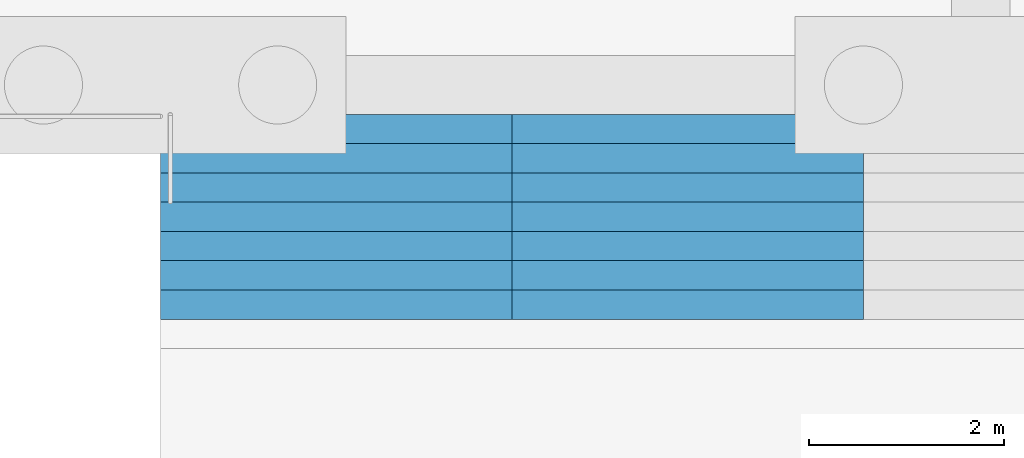
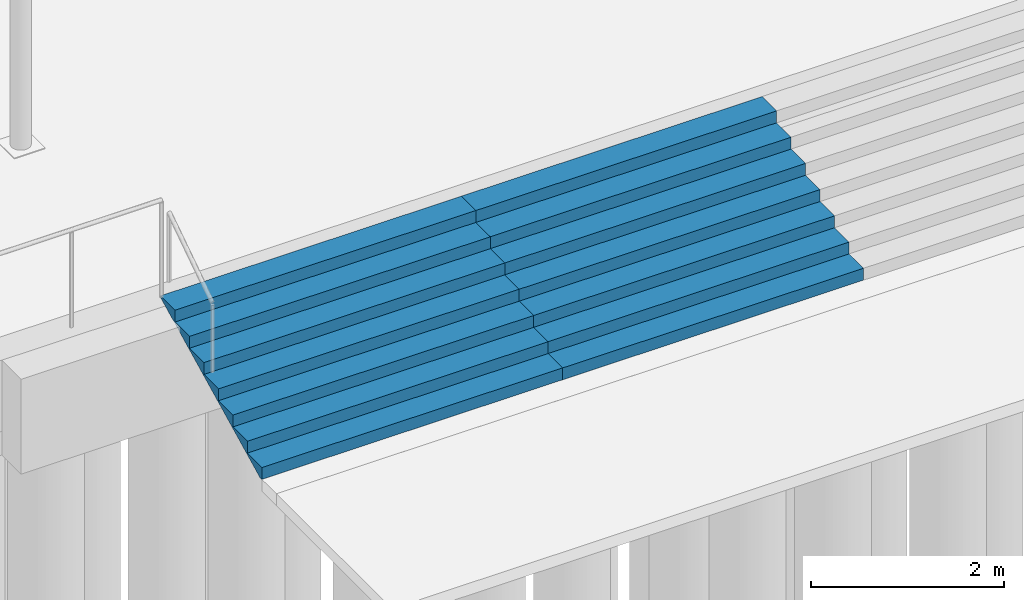
# One storey, part 75 of 129: 2 stair flights, 1 element without a shape of its own.
"""IFC4 building model written with IfcOpenShell, lengths in metres."""

from ifc_helpers import new_model, si_unit, direction, frame, origin, place, context, subcontext, project, spatial, faceted_brep, material, type_object, element, aggregate, save


model = new_model("IFC4")

# Units and contexts
model_context = context("Model", 3, precision=1e-05, world=origin(), true_north=direction((0.0, 1.0)))
body_context = subcontext(model_context, "Body", "Model", "MODEL_VIEW")
ifc_project = project(units=[si_unit("LENGTHUNIT", "METRE"), si_unit("AREAUNIT", "SQUARE_METRE"), si_unit("VOLUMEUNIT", "CUBIC_METRE"), si_unit("PLANEANGLEUNIT", "RADIAN"), si_unit("MASSUNIT", "GRAM", prefix="KILO")], contexts=[model_context])

# Site, building, storey
site_placement = place(None, origin())
site = spatial("IfcSite", under=ifc_project, at=site_placement, CompositionType="ELEMENT")
building_placement = place(site_placement, origin())
building = spatial("IfcBuilding", under=site, at=building_placement, Name="Kiln Court Media Centre", CompositionType="ELEMENT")
storey_placement = place(building_placement, origin())
storey = spatial("IfcBuildingStorey", under=building, at=storey_placement, Name="L00", CompositionType="ELEMENT", Elevation=0.0)

# Stair, stair flights
ifc_material_1 = material(Name="Concrete C30/37", Category="concrete")
stair_type = type_object("IfcStairType", Name="Concrete C30/37 forecourt steps", PredefinedType="STRAIGHT_RUN_STAIR", material=ifc_material_1)
stair_placement = place(storey_placement, origin())
stair = element("IfcStair", 1, at=stair_placement, inside=storey, type_object=stair_type, Name="Concrete C30/37 forecourt steps", PredefinedType="STRAIGHT_RUN_STAIR")
ifc_material_2 = material(Name="Concrete C30/37", Category="concrete")
stair_flight_type = type_object("IfcStairFlightType", Name="Concrete C30/37 forecourt steps flight", PredefinedType="STRAIGHT", material=ifc_material_2)
stair_flight_1_placement = place(storey_placement, frame((69.0, 16.199951171875, -1.199951171875), z_axis=(0.0, 0.0, 1.0), x_axis=(0.0, 1.0, 0.0)))
stair_flight_1 = element("IfcStairFlight", 2, at=stair_flight_1_placement, type_object=stair_flight_type, Name="ST-E1 flight 1", NumberOfRisers=8, NumberOfTreads=7, PredefinedType="STRAIGHT", RiserHeight=0.15, TreadLength=0.3, context=body_context, shape_type="Brep", body=[
    faceted_brep([(0.044677734375, -1.800048828125, 0.0), (2.10009765625, -1.800048828125, 1.027587890625), (2.10009765625, -1.800048828125, 1.050048828125), (1.800048828125, -1.800048828125, 1.050048828125), (1.800048828125, -1.800048828125, 0.89990234375), (1.5, -1.800048828125, 0.89990234375), (1.5, -1.800048828125, 0.75), (1.199951171875, -1.800048828125, 0.75), (1.199951171875, -1.800048828125, 0.60009765625), (0.89990234375, -1.800048828125, 0.60009765625), (0.89990234375, -1.800048828125, 0.449951171875), (0.60009765625, -1.800048828125, 0.449951171875), (0.60009765625, -1.800048828125, 0.300048828125), (0.300048828125, -1.800048828125, 0.300048828125), (0.300048828125, -1.800048828125, 0.14990234375), (0.0, -1.800048828125, 0.14990234375), (0.0, -1.800048828125, 0.0), (0.0, 1.800048828125, 0.0), (0.0, 1.800048828125, 0.14990234375), (0.300048828125, 1.800048828125, 0.14990234375), (0.300048828125, 1.800048828125, 0.300048828125), (0.60009765625, 1.800048828125, 0.300048828125), (0.60009765625, 1.800048828125, 0.449951171875), (0.89990234375, 1.800048828125, 0.449951171875), (0.89990234375, 1.800048828125, 0.60009765625), (1.199951171875, 1.800048828125, 0.60009765625), (1.199951171875, 1.800048828125, 0.75), (1.5, 1.800048828125, 0.75), (1.5, 1.800048828125, 0.89990234375), (1.800048828125, 1.800048828125, 0.89990234375), (1.800048828125, 1.800048828125, 1.050048828125), (2.10009765625, 1.800048828125, 1.050048828125), (2.10009765625, 1.800048828125, 1.027587890625), (0.044677734375, 1.800048828125, 0.0), (2.10009765625, 0.10009765625, 1.027587890625), (0.044677734375, 0.10009765625, 0.0), (2.10009765625, 0.080078125, 1.027587890625), (0.044677734375, 0.080078125, 0.0), (2.10009765625, 0.06005859375, 1.027587890625), (0.044677734375, 0.06005859375, 0.0), (2.10009765625, 0.0400390625, 1.027587890625), (0.044677734375, 0.0400390625, 0.0), (2.10009765625, 0.02001953125, 1.027587890625), (0.044677734375, 0.02001953125, 0.0), (2.10009765625, 0.0, 1.027587890625), (0.044677734375, 0.0, 0.0), (2.10009765625, -0.02001953125, 1.027587890625), (0.044677734375, -0.02001953125, 0.0), (2.10009765625, -0.0400390625, 1.027587890625), (0.044677734375, -0.0400390625, 0.0), (2.10009765625, -0.06005859375, 1.027587890625), (0.044677734375, -0.06005859375, 0.0), (2.10009765625, -0.080078125, 1.027587890625), (0.044677734375, -0.080078125, 0.0), (2.10009765625, -0.10009765625, 1.027587890625), (0.044677734375, -0.10009765625, 0.0), (2.10009765625, 0.10009765625, 1.050048828125), (2.10009765625, 0.080078125, 1.050048828125), (2.10009765625, 0.06005859375, 1.050048828125), (2.10009765625, 0.0400390625, 1.050048828125), (2.10009765625, 0.02001953125, 1.050048828125), (2.10009765625, 0.0, 1.050048828125), (2.10009765625, -0.02001953125, 1.050048828125), (2.10009765625, -0.0400390625, 1.050048828125), (2.10009765625, -0.06005859375, 1.050048828125), (2.10009765625, -0.080078125, 1.050048828125), (2.10009765625, -0.10009765625, 1.050048828125), (1.800048828125, 0.10009765625, 1.050048828125), (1.800048828125, 0.080078125, 1.050048828125), (1.800048828125, 0.06005859375, 1.050048828125), (1.800048828125, 0.0400390625, 1.050048828125), (1.800048828125, 0.02001953125, 1.050048828125), (1.800048828125, 0.0, 1.050048828125), (1.800048828125, -0.02001953125, 1.050048828125), (1.800048828125, -0.0400390625, 1.050048828125), (1.800048828125, -0.06005859375, 1.050048828125), (1.800048828125, -0.080078125, 1.050048828125), (1.800048828125, -0.10009765625, 1.050048828125), (1.800048828125, 0.10009765625, 0.89990234375), (1.800048828125, 0.080078125, 0.89990234375), (1.800048828125, 0.06005859375, 0.89990234375), (1.800048828125, 0.0400390625, 0.89990234375), (1.800048828125, 0.02001953125, 0.89990234375), (1.800048828125, 0.0, 0.89990234375), (1.800048828125, -0.02001953125, 0.89990234375), (1.800048828125, -0.0400390625, 0.89990234375), (1.800048828125, -0.06005859375, 0.89990234375), (1.800048828125, -0.080078125, 0.89990234375), (1.800048828125, -0.10009765625, 0.89990234375), (1.5, 0.10009765625, 0.89990234375), (1.5, 0.080078125, 0.89990234375), (1.5, 0.06005859375, 0.89990234375), (1.5, 0.0400390625, 0.89990234375), (1.5, 0.02001953125, 0.89990234375), (1.5, 0.0, 0.89990234375), (1.5, -0.02001953125, 0.89990234375), (1.5, -0.0400390625, 0.89990234375), (1.5, -0.06005859375, 0.89990234375), (1.5, -0.080078125, 0.89990234375), (1.5, -0.10009765625, 0.89990234375), (1.5, 0.10009765625, 0.75), (1.5, 0.080078125, 0.75), (1.5, 0.06005859375, 0.75), (1.5, 0.0400390625, 0.75), (1.5, 0.02001953125, 0.75), (1.5, 0.0, 0.75), (1.5, -0.02001953125, 0.75), (1.5, -0.0400390625, 0.75), (1.5, -0.06005859375, 0.75), (1.5, -0.080078125, 0.75), (1.5, -0.10009765625, 0.75), (1.199951171875, 0.10009765625, 0.75), (1.199951171875, 0.080078125, 0.75), (1.199951171875, 0.06005859375, 0.75), (1.199951171875, 0.0400390625, 0.75), (1.199951171875, 0.02001953125, 0.75), (1.199951171875, 0.0, 0.75), (1.199951171875, -0.02001953125, 0.75), (1.199951171875, -0.0400390625, 0.75), (1.199951171875, -0.06005859375, 0.75), (1.199951171875, -0.080078125, 0.75), (1.199951171875, -0.10009765625, 0.75), (1.199951171875, 0.10009765625, 0.60009765625), (1.199951171875, 0.080078125, 0.60009765625), (1.199951171875, 0.06005859375, 0.60009765625), (1.199951171875, 0.0400390625, 0.60009765625), (1.199951171875, 0.02001953125, 0.60009765625), (1.199951171875, 0.0, 0.60009765625), (1.199951171875, -0.02001953125, 0.60009765625), (1.199951171875, -0.0400390625, 0.60009765625), (1.199951171875, -0.06005859375, 0.60009765625), (1.199951171875, -0.080078125, 0.60009765625), (1.199951171875, -0.10009765625, 0.60009765625), (0.89990234375, 0.10009765625, 0.60009765625), (0.89990234375, 0.080078125, 0.60009765625), (0.89990234375, 0.06005859375, 0.60009765625), (0.89990234375, 0.0400390625, 0.60009765625), (0.89990234375, 0.02001953125, 0.60009765625), (0.89990234375, 0.0, 0.60009765625), (0.89990234375, -0.02001953125, 0.60009765625), (0.89990234375, -0.0400390625, 0.60009765625), (0.89990234375, -0.06005859375, 0.60009765625), (0.89990234375, -0.080078125, 0.60009765625), (0.89990234375, -0.10009765625, 0.60009765625), (0.89990234375, 0.10009765625, 0.449951171875), (0.89990234375, 0.080078125, 0.449951171875), (0.89990234375, 0.06005859375, 0.449951171875), (0.89990234375, 0.0400390625, 0.449951171875), (0.89990234375, 0.02001953125, 0.449951171875), (0.89990234375, 0.0, 0.449951171875), (0.89990234375, -0.02001953125, 0.449951171875), (0.89990234375, -0.0400390625, 0.449951171875), (0.89990234375, -0.06005859375, 0.449951171875), (0.89990234375, -0.080078125, 0.449951171875), (0.89990234375, -0.10009765625, 0.449951171875), (0.60009765625, 0.10009765625, 0.449951171875), (0.60009765625, 0.080078125, 0.449951171875), (0.60009765625, 0.06005859375, 0.449951171875), (0.60009765625, 0.0400390625, 0.449951171875), (0.60009765625, 0.02001953125, 0.449951171875), (0.60009765625, 0.0, 0.449951171875), (0.60009765625, -0.02001953125, 0.449951171875), (0.60009765625, -0.0400390625, 0.449951171875), (0.60009765625, -0.06005859375, 0.449951171875), (0.60009765625, -0.080078125, 0.449951171875), (0.60009765625, -0.10009765625, 0.449951171875), (0.60009765625, 0.10009765625, 0.300048828125), (0.60009765625, 0.080078125, 0.300048828125), (0.60009765625, 0.06005859375, 0.300048828125), (0.60009765625, 0.0400390625, 0.300048828125), (0.60009765625, 0.02001953125, 0.300048828125), (0.60009765625, 0.0, 0.300048828125), (0.60009765625, -0.02001953125, 0.300048828125), (0.60009765625, -0.0400390625, 0.300048828125), (0.60009765625, -0.06005859375, 0.300048828125), (0.60009765625, -0.080078125, 0.300048828125), (0.60009765625, -0.10009765625, 0.300048828125), (0.300048828125, 0.10009765625, 0.300048828125), (0.300048828125, 0.080078125, 0.300048828125), (0.300048828125, 0.06005859375, 0.300048828125), (0.300048828125, 0.0400390625, 0.300048828125), (0.300048828125, 0.02001953125, 0.300048828125), (0.300048828125, 0.0, 0.300048828125), (0.300048828125, -0.02001953125, 0.300048828125), (0.300048828125, -0.0400390625, 0.300048828125), (0.300048828125, -0.06005859375, 0.300048828125), (0.300048828125, -0.080078125, 0.300048828125), (0.300048828125, -0.10009765625, 0.300048828125), (0.300048828125, 0.10009765625, 0.14990234375), (0.300048828125, 0.080078125, 0.14990234375), (0.300048828125, 0.06005859375, 0.14990234375), (0.300048828125, 0.0400390625, 0.14990234375), (0.300048828125, 0.02001953125, 0.14990234375), (0.300048828125, 0.0, 0.14990234375), (0.300048828125, -0.02001953125, 0.14990234375), (0.300048828125, -0.0400390625, 0.14990234375), (0.300048828125, -0.06005859375, 0.14990234375), (0.300048828125, -0.080078125, 0.14990234375), (0.300048828125, -0.10009765625, 0.14990234375), (0.0, 0.10009765625, 0.14990234375), (0.0, 0.080078125, 0.14990234375), (0.0, 0.06005859375, 0.14990234375), (0.0, 0.0400390625, 0.14990234375), (0.0, 0.02001953125, 0.14990234375), (0.0, 0.0, 0.14990234375), (0.0, -0.02001953125, 0.14990234375), (0.0, -0.0400390625, 0.14990234375), (0.0, -0.06005859375, 0.14990234375), (0.0, -0.080078125, 0.14990234375), (0.0, -0.10009765625, 0.14990234375), (0.0, 0.10009765625, 0.0), (0.0, 0.080078125, 0.0), (0.0, 0.06005859375, 0.0), (0.0, 0.0400390625, 0.0), (0.0, 0.02001953125, 0.0), (0.0, 0.0, 0.0), (0.0, -0.02001953125, 0.0), (0.0, -0.0400390625, 0.0), (0.0, -0.06005859375, 0.0), (0.0, -0.080078125, 0.0), (0.0, -0.10009765625, 0.0)], [[[0, 1, 2, 3, 4, 5, 6, 7, 8, 9, 10, 11, 12, 13, 14, 15, 16]], [[17, 18, 19, 20, 21, 22, 23, 24, 25, 26, 27, 28, 29, 30, 31, 32, 33]], [[33, 32, 34, 35]], [[35, 34, 36, 37]], [[37, 36, 38, 39]], [[39, 38, 40, 41]], [[41, 40, 42, 43]], [[43, 42, 44, 45]], [[45, 44, 46, 47]], [[47, 46, 48, 49]], [[49, 48, 50, 51]], [[51, 50, 52, 53]], [[53, 52, 54, 55]], [[55, 54, 1, 0]], [[32, 31, 56, 34]], [[34, 56, 57, 36]], [[36, 57, 58, 38]], [[38, 58, 59, 40]], [[40, 59, 60, 42]], [[42, 60, 61, 44]], [[44, 61, 62, 46]], [[46, 62, 63, 48]], [[48, 63, 64, 50]], [[50, 64, 65, 52]], [[52, 65, 66, 54]], [[54, 66, 2, 1]], [[31, 30, 67, 56]], [[56, 67, 68, 57]], [[57, 68, 69, 58]], [[58, 69, 70, 59]], [[59, 70, 71, 60]], [[60, 71, 72, 61]], [[61, 72, 73, 62]], [[62, 73, 74, 63]], [[63, 74, 75, 64]], [[64, 75, 76, 65]], [[65, 76, 77, 66]], [[66, 77, 3, 2]], [[30, 29, 78, 67]], [[67, 78, 79, 68]], [[68, 79, 80, 69]], [[69, 80, 81, 70]], [[70, 81, 82, 71]], [[71, 82, 83, 72]], [[72, 83, 84, 73]], [[73, 84, 85, 74]], [[74, 85, 86, 75]], [[75, 86, 87, 76]], [[76, 87, 88, 77]], [[77, 88, 4, 3]], [[29, 28, 89, 78]], [[78, 89, 90, 79]], [[79, 90, 91, 80]], [[80, 91, 92, 81]], [[81, 92, 93, 82]], [[82, 93, 94, 83]], [[83, 94, 95, 84]], [[84, 95, 96, 85]], [[85, 96, 97, 86]], [[86, 97, 98, 87]], [[87, 98, 99, 88]], [[88, 99, 5, 4]], [[28, 27, 100, 89]], [[89, 100, 101, 90]], [[90, 101, 102, 91]], [[91, 102, 103, 92]], [[92, 103, 104, 93]], [[93, 104, 105, 94]], [[94, 105, 106, 95]], [[95, 106, 107, 96]], [[96, 107, 108, 97]], [[97, 108, 109, 98]], [[98, 109, 110, 99]], [[99, 110, 6, 5]], [[27, 26, 111, 100]], [[100, 111, 112, 101]], [[101, 112, 113, 102]], [[102, 113, 114, 103]], [[103, 114, 115, 104]], [[104, 115, 116, 105]], [[105, 116, 117, 106]], [[106, 117, 118, 107]], [[107, 118, 119, 108]], [[108, 119, 120, 109]], [[109, 120, 121, 110]], [[110, 121, 7, 6]], [[26, 25, 122, 111]], [[111, 122, 123, 112]], [[112, 123, 124, 113]], [[113, 124, 125, 114]], [[114, 125, 126, 115]], [[115, 126, 127, 116]], [[116, 127, 128, 117]], [[117, 128, 129, 118]], [[118, 129, 130, 119]], [[119, 130, 131, 120]], [[120, 131, 132, 121]], [[121, 132, 8, 7]], [[25, 24, 133, 122]], [[122, 133, 134, 123]], [[123, 134, 135, 124]], [[124, 135, 136, 125]], [[125, 136, 137, 126]], [[126, 137, 138, 127]], [[127, 138, 139, 128]], [[128, 139, 140, 129]], [[129, 140, 141, 130]], [[130, 141, 142, 131]], [[131, 142, 143, 132]], [[132, 143, 9, 8]], [[24, 23, 144, 133]], [[133, 144, 145, 134]], [[134, 145, 146, 135]], [[135, 146, 147, 136]], [[136, 147, 148, 137]], [[137, 148, 149, 138]], [[138, 149, 150, 139]], [[139, 150, 151, 140]], [[140, 151, 152, 141]], [[141, 152, 153, 142]], [[142, 153, 154, 143]], [[143, 154, 10, 9]], [[23, 22, 155, 144]], [[144, 155, 156, 145]], [[145, 156, 157, 146]], [[146, 157, 158, 147]], [[147, 158, 159, 148]], [[148, 159, 160, 149]], [[149, 160, 161, 150]], [[150, 161, 162, 151]], [[151, 162, 163, 152]], [[152, 163, 164, 153]], [[153, 164, 165, 154]], [[154, 165, 11, 10]], [[22, 21, 166, 155]], [[155, 166, 167, 156]], [[156, 167, 168, 157]], [[157, 168, 169, 158]], [[158, 169, 170, 159]], [[159, 170, 171, 160]], [[160, 171, 172, 161]], [[161, 172, 173, 162]], [[162, 173, 174, 163]], [[163, 174, 175, 164]], [[164, 175, 176, 165]], [[165, 176, 12, 11]], [[21, 20, 177, 166]], [[166, 177, 178, 167]], [[167, 178, 179, 168]], [[168, 179, 180, 169]], [[169, 180, 181, 170]], [[170, 181, 182, 171]], [[171, 182, 183, 172]], [[172, 183, 184, 173]], [[173, 184, 185, 174]], [[174, 185, 186, 175]], [[175, 186, 187, 176]], [[176, 187, 13, 12]], [[20, 19, 188, 177]], [[177, 188, 189, 178]], [[178, 189, 190, 179]], [[179, 190, 191, 180]], [[180, 191, 192, 181]], [[181, 192, 193, 182]], [[182, 193, 194, 183]], [[183, 194, 195, 184]], [[184, 195, 196, 185]], [[185, 196, 197, 186]], [[186, 197, 198, 187]], [[187, 198, 14, 13]], [[19, 18, 199, 188]], [[188, 199, 200, 189]], [[189, 200, 201, 190]], [[190, 201, 202, 191]], [[191, 202, 203, 192]], [[192, 203, 204, 193]], [[193, 204, 205, 194]], [[194, 205, 206, 195]], [[195, 206, 207, 196]], [[196, 207, 208, 197]], [[197, 208, 209, 198]], [[198, 209, 15, 14]], [[18, 17, 210, 199]], [[199, 210, 211, 200]], [[200, 211, 212, 201]], [[201, 212, 213, 202]], [[202, 213, 214, 203]], [[203, 214, 215, 204]], [[204, 215, 216, 205]], [[205, 216, 217, 206]], [[206, 217, 218, 207]], [[207, 218, 219, 208]], [[208, 219, 220, 209]], [[209, 220, 16, 15]], [[17, 33, 35, 210]], [[210, 35, 37, 211]], [[211, 37, 39, 212]], [[212, 39, 41, 213]], [[213, 41, 43, 214]], [[214, 43, 45, 215]], [[215, 45, 47, 216]], [[216, 47, 49, 217]], [[217, 49, 51, 218]], [[218, 51, 53, 219]], [[219, 53, 55, 220]], [[220, 55, 0, 16]]]),
])
stair_flight_2_placement = place(storey_placement, frame((72.60009765625, 16.199951171875, -1.199951171875), z_axis=(0.0, 0.0, 1.0), x_axis=(0.0, 1.0, 0.0)))
stair_flight_2 = element("IfcStairFlight", 3, at=stair_flight_2_placement, type_object=stair_flight_type, Name="ST-E1 flight 2", NumberOfRisers=8, NumberOfTreads=7, PredefinedType="STRAIGHT", RiserHeight=0.15, TreadLength=0.3, context=body_context, shape_type="Brep", body=[
    faceted_brep([(0.044677734375, -1.800048828125, 0.0), (2.10009765625, -1.800048828125, 1.027587890625), (2.10009765625, -1.800048828125, 1.050048828125), (1.800048828125, -1.800048828125, 1.050048828125), (1.800048828125, -1.800048828125, 0.89990234375), (1.5, -1.800048828125, 0.89990234375), (1.5, -1.800048828125, 0.75), (1.199951171875, -1.800048828125, 0.75), (1.199951171875, -1.800048828125, 0.60009765625), (0.89990234375, -1.800048828125, 0.60009765625), (0.89990234375, -1.800048828125, 0.449951171875), (0.60009765625, -1.800048828125, 0.449951171875), (0.60009765625, -1.800048828125, 0.300048828125), (0.300048828125, -1.800048828125, 0.300048828125), (0.300048828125, -1.800048828125, 0.14990234375), (0.0, -1.800048828125, 0.14990234375), (0.0, -1.800048828125, 0.0), (0.0, 1.800048828125, 0.0), (0.0, 1.800048828125, 0.14990234375), (0.300048828125, 1.800048828125, 0.14990234375), (0.300048828125, 1.800048828125, 0.300048828125), (0.60009765625, 1.800048828125, 0.300048828125), (0.60009765625, 1.800048828125, 0.449951171875), (0.89990234375, 1.800048828125, 0.449951171875), (0.89990234375, 1.800048828125, 0.60009765625), (1.199951171875, 1.800048828125, 0.60009765625), (1.199951171875, 1.800048828125, 0.75), (1.5, 1.800048828125, 0.75), (1.5, 1.800048828125, 0.89990234375), (1.800048828125, 1.800048828125, 0.89990234375), (1.800048828125, 1.800048828125, 1.050048828125), (2.10009765625, 1.800048828125, 1.050048828125), (2.10009765625, 1.800048828125, 1.027587890625), (0.044677734375, 1.800048828125, 0.0), (2.10009765625, 0.10009765625, 1.027587890625), (0.044677734375, 0.10009765625, 0.0), (2.10009765625, 0.080078125, 1.027587890625), (0.044677734375, 0.080078125, 0.0), (2.10009765625, 0.06005859375, 1.027587890625), (0.044677734375, 0.06005859375, 0.0), (2.10009765625, 0.0400390625, 1.027587890625), (0.044677734375, 0.0400390625, 0.0), (2.10009765625, 0.02001953125, 1.027587890625), (0.044677734375, 0.02001953125, 0.0), (2.10009765625, 0.0, 1.027587890625), (0.044677734375, 0.0, 0.0), (2.10009765625, -0.02001953125, 1.027587890625), (0.044677734375, -0.02001953125, 0.0), (2.10009765625, -0.0400390625, 1.027587890625), (0.044677734375, -0.0400390625, 0.0), (2.10009765625, -0.06005859375, 1.027587890625), (0.044677734375, -0.06005859375, 0.0), (2.10009765625, -0.080078125, 1.027587890625), (0.044677734375, -0.080078125, 0.0), (2.10009765625, -0.10009765625, 1.027587890625), (0.044677734375, -0.10009765625, 0.0), (2.10009765625, 0.10009765625, 1.050048828125), (2.10009765625, 0.080078125, 1.050048828125), (2.10009765625, 0.06005859375, 1.050048828125), (2.10009765625, 0.0400390625, 1.050048828125), (2.10009765625, 0.02001953125, 1.050048828125), (2.10009765625, 0.0, 1.050048828125), (2.10009765625, -0.02001953125, 1.050048828125), (2.10009765625, -0.0400390625, 1.050048828125), (2.10009765625, -0.06005859375, 1.050048828125), (2.10009765625, -0.080078125, 1.050048828125), (2.10009765625, -0.10009765625, 1.050048828125), (1.800048828125, 0.10009765625, 1.050048828125), (1.800048828125, 0.080078125, 1.050048828125), (1.800048828125, 0.06005859375, 1.050048828125), (1.800048828125, 0.0400390625, 1.050048828125), (1.800048828125, 0.02001953125, 1.050048828125), (1.800048828125, 0.0, 1.050048828125), (1.800048828125, -0.02001953125, 1.050048828125), (1.800048828125, -0.0400390625, 1.050048828125), (1.800048828125, -0.06005859375, 1.050048828125), (1.800048828125, -0.080078125, 1.050048828125), (1.800048828125, -0.10009765625, 1.050048828125), (1.800048828125, 0.10009765625, 0.89990234375), (1.800048828125, 0.080078125, 0.89990234375), (1.800048828125, 0.06005859375, 0.89990234375), (1.800048828125, 0.0400390625, 0.89990234375), (1.800048828125, 0.02001953125, 0.89990234375), (1.800048828125, 0.0, 0.89990234375), (1.800048828125, -0.02001953125, 0.89990234375), (1.800048828125, -0.0400390625, 0.89990234375), (1.800048828125, -0.06005859375, 0.89990234375), (1.800048828125, -0.080078125, 0.89990234375), (1.800048828125, -0.10009765625, 0.89990234375), (1.5, 0.10009765625, 0.89990234375), (1.5, 0.080078125, 0.89990234375), (1.5, 0.06005859375, 0.89990234375), (1.5, 0.0400390625, 0.89990234375), (1.5, 0.02001953125, 0.89990234375), (1.5, 0.0, 0.89990234375), (1.5, -0.02001953125, 0.89990234375), (1.5, -0.0400390625, 0.89990234375), (1.5, -0.06005859375, 0.89990234375), (1.5, -0.080078125, 0.89990234375), (1.5, -0.10009765625, 0.89990234375), (1.5, 0.10009765625, 0.75), (1.5, 0.080078125, 0.75), (1.5, 0.06005859375, 0.75), (1.5, 0.0400390625, 0.75), (1.5, 0.02001953125, 0.75), (1.5, 0.0, 0.75), (1.5, -0.02001953125, 0.75), (1.5, -0.0400390625, 0.75), (1.5, -0.06005859375, 0.75), (1.5, -0.080078125, 0.75), (1.5, -0.10009765625, 0.75), (1.199951171875, 0.10009765625, 0.75), (1.199951171875, 0.080078125, 0.75), (1.199951171875, 0.06005859375, 0.75), (1.199951171875, 0.0400390625, 0.75), (1.199951171875, 0.02001953125, 0.75), (1.199951171875, 0.0, 0.75), (1.199951171875, -0.02001953125, 0.75), (1.199951171875, -0.0400390625, 0.75), (1.199951171875, -0.06005859375, 0.75), (1.199951171875, -0.080078125, 0.75), (1.199951171875, -0.10009765625, 0.75), (1.199951171875, 0.10009765625, 0.60009765625), (1.199951171875, 0.080078125, 0.60009765625), (1.199951171875, 0.06005859375, 0.60009765625), (1.199951171875, 0.0400390625, 0.60009765625), (1.199951171875, 0.02001953125, 0.60009765625), (1.199951171875, 0.0, 0.60009765625), (1.199951171875, -0.02001953125, 0.60009765625), (1.199951171875, -0.0400390625, 0.60009765625), (1.199951171875, -0.06005859375, 0.60009765625), (1.199951171875, -0.080078125, 0.60009765625), (1.199951171875, -0.10009765625, 0.60009765625), (0.89990234375, 0.10009765625, 0.60009765625), (0.89990234375, 0.080078125, 0.60009765625), (0.89990234375, 0.06005859375, 0.60009765625), (0.89990234375, 0.0400390625, 0.60009765625), (0.89990234375, 0.02001953125, 0.60009765625), (0.89990234375, 0.0, 0.60009765625), (0.89990234375, -0.02001953125, 0.60009765625), (0.89990234375, -0.0400390625, 0.60009765625), (0.89990234375, -0.06005859375, 0.60009765625), (0.89990234375, -0.080078125, 0.60009765625), (0.89990234375, -0.10009765625, 0.60009765625), (0.89990234375, 0.10009765625, 0.449951171875), (0.89990234375, 0.080078125, 0.449951171875), (0.89990234375, 0.06005859375, 0.449951171875), (0.89990234375, 0.0400390625, 0.449951171875), (0.89990234375, 0.02001953125, 0.449951171875), (0.89990234375, 0.0, 0.449951171875), (0.89990234375, -0.02001953125, 0.449951171875), (0.89990234375, -0.0400390625, 0.449951171875), (0.89990234375, -0.06005859375, 0.449951171875), (0.89990234375, -0.080078125, 0.449951171875), (0.89990234375, -0.10009765625, 0.449951171875), (0.60009765625, 0.10009765625, 0.449951171875), (0.60009765625, 0.080078125, 0.449951171875), (0.60009765625, 0.06005859375, 0.449951171875), (0.60009765625, 0.0400390625, 0.449951171875), (0.60009765625, 0.02001953125, 0.449951171875), (0.60009765625, 0.0, 0.449951171875), (0.60009765625, -0.02001953125, 0.449951171875), (0.60009765625, -0.0400390625, 0.449951171875), (0.60009765625, -0.06005859375, 0.449951171875), (0.60009765625, -0.080078125, 0.449951171875), (0.60009765625, -0.10009765625, 0.449951171875), (0.60009765625, 0.10009765625, 0.300048828125), (0.60009765625, 0.080078125, 0.300048828125), (0.60009765625, 0.06005859375, 0.300048828125), (0.60009765625, 0.0400390625, 0.300048828125), (0.60009765625, 0.02001953125, 0.300048828125), (0.60009765625, 0.0, 0.300048828125), (0.60009765625, -0.02001953125, 0.300048828125), (0.60009765625, -0.0400390625, 0.300048828125), (0.60009765625, -0.06005859375, 0.300048828125), (0.60009765625, -0.080078125, 0.300048828125), (0.60009765625, -0.10009765625, 0.300048828125), (0.300048828125, 0.10009765625, 0.300048828125), (0.300048828125, 0.080078125, 0.300048828125), (0.300048828125, 0.06005859375, 0.300048828125), (0.300048828125, 0.0400390625, 0.300048828125), (0.300048828125, 0.02001953125, 0.300048828125), (0.300048828125, 0.0, 0.300048828125), (0.300048828125, -0.02001953125, 0.300048828125), (0.300048828125, -0.0400390625, 0.300048828125), (0.300048828125, -0.06005859375, 0.300048828125), (0.300048828125, -0.080078125, 0.300048828125), (0.300048828125, -0.10009765625, 0.300048828125), (0.300048828125, 0.10009765625, 0.14990234375), (0.300048828125, 0.080078125, 0.14990234375), (0.300048828125, 0.06005859375, 0.14990234375), (0.300048828125, 0.0400390625, 0.14990234375), (0.300048828125, 0.02001953125, 0.14990234375), (0.300048828125, 0.0, 0.14990234375), (0.300048828125, -0.02001953125, 0.14990234375), (0.300048828125, -0.0400390625, 0.14990234375), (0.300048828125, -0.06005859375, 0.14990234375), (0.300048828125, -0.080078125, 0.14990234375), (0.300048828125, -0.10009765625, 0.14990234375), (0.0, 0.10009765625, 0.14990234375), (0.0, 0.080078125, 0.14990234375), (0.0, 0.06005859375, 0.14990234375), (0.0, 0.0400390625, 0.14990234375), (0.0, 0.02001953125, 0.14990234375), (0.0, 0.0, 0.14990234375), (0.0, -0.02001953125, 0.14990234375), (0.0, -0.0400390625, 0.14990234375), (0.0, -0.06005859375, 0.14990234375), (0.0, -0.080078125, 0.14990234375), (0.0, -0.10009765625, 0.14990234375), (0.0, 0.10009765625, 0.0), (0.0, 0.080078125, 0.0), (0.0, 0.06005859375, 0.0), (0.0, 0.0400390625, 0.0), (0.0, 0.02001953125, 0.0), (0.0, 0.0, 0.0), (0.0, -0.02001953125, 0.0), (0.0, -0.0400390625, 0.0), (0.0, -0.06005859375, 0.0), (0.0, -0.080078125, 0.0), (0.0, -0.10009765625, 0.0)], [[[0, 1, 2, 3, 4, 5, 6, 7, 8, 9, 10, 11, 12, 13, 14, 15, 16]], [[17, 18, 19, 20, 21, 22, 23, 24, 25, 26, 27, 28, 29, 30, 31, 32, 33]], [[33, 32, 34, 35]], [[35, 34, 36, 37]], [[37, 36, 38, 39]], [[39, 38, 40, 41]], [[41, 40, 42, 43]], [[43, 42, 44, 45]], [[45, 44, 46, 47]], [[47, 46, 48, 49]], [[49, 48, 50, 51]], [[51, 50, 52, 53]], [[53, 52, 54, 55]], [[55, 54, 1, 0]], [[32, 31, 56, 34]], [[34, 56, 57, 36]], [[36, 57, 58, 38]], [[38, 58, 59, 40]], [[40, 59, 60, 42]], [[42, 60, 61, 44]], [[44, 61, 62, 46]], [[46, 62, 63, 48]], [[48, 63, 64, 50]], [[50, 64, 65, 52]], [[52, 65, 66, 54]], [[54, 66, 2, 1]], [[31, 30, 67, 56]], [[56, 67, 68, 57]], [[57, 68, 69, 58]], [[58, 69, 70, 59]], [[59, 70, 71, 60]], [[60, 71, 72, 61]], [[61, 72, 73, 62]], [[62, 73, 74, 63]], [[63, 74, 75, 64]], [[64, 75, 76, 65]], [[65, 76, 77, 66]], [[66, 77, 3, 2]], [[30, 29, 78, 67]], [[67, 78, 79, 68]], [[68, 79, 80, 69]], [[69, 80, 81, 70]], [[70, 81, 82, 71]], [[71, 82, 83, 72]], [[72, 83, 84, 73]], [[73, 84, 85, 74]], [[74, 85, 86, 75]], [[75, 86, 87, 76]], [[76, 87, 88, 77]], [[77, 88, 4, 3]], [[29, 28, 89, 78]], [[78, 89, 90, 79]], [[79, 90, 91, 80]], [[80, 91, 92, 81]], [[81, 92, 93, 82]], [[82, 93, 94, 83]], [[83, 94, 95, 84]], [[84, 95, 96, 85]], [[85, 96, 97, 86]], [[86, 97, 98, 87]], [[87, 98, 99, 88]], [[88, 99, 5, 4]], [[28, 27, 100, 89]], [[89, 100, 101, 90]], [[90, 101, 102, 91]], [[91, 102, 103, 92]], [[92, 103, 104, 93]], [[93, 104, 105, 94]], [[94, 105, 106, 95]], [[95, 106, 107, 96]], [[96, 107, 108, 97]], [[97, 108, 109, 98]], [[98, 109, 110, 99]], [[99, 110, 6, 5]], [[27, 26, 111, 100]], [[100, 111, 112, 101]], [[101, 112, 113, 102]], [[102, 113, 114, 103]], [[103, 114, 115, 104]], [[104, 115, 116, 105]], [[105, 116, 117, 106]], [[106, 117, 118, 107]], [[107, 118, 119, 108]], [[108, 119, 120, 109]], [[109, 120, 121, 110]], [[110, 121, 7, 6]], [[26, 25, 122, 111]], [[111, 122, 123, 112]], [[112, 123, 124, 113]], [[113, 124, 125, 114]], [[114, 125, 126, 115]], [[115, 126, 127, 116]], [[116, 127, 128, 117]], [[117, 128, 129, 118]], [[118, 129, 130, 119]], [[119, 130, 131, 120]], [[120, 131, 132, 121]], [[121, 132, 8, 7]], [[25, 24, 133, 122]], [[122, 133, 134, 123]], [[123, 134, 135, 124]], [[124, 135, 136, 125]], [[125, 136, 137, 126]], [[126, 137, 138, 127]], [[127, 138, 139, 128]], [[128, 139, 140, 129]], [[129, 140, 141, 130]], [[130, 141, 142, 131]], [[131, 142, 143, 132]], [[132, 143, 9, 8]], [[24, 23, 144, 133]], [[133, 144, 145, 134]], [[134, 145, 146, 135]], [[135, 146, 147, 136]], [[136, 147, 148, 137]], [[137, 148, 149, 138]], [[138, 149, 150, 139]], [[139, 150, 151, 140]], [[140, 151, 152, 141]], [[141, 152, 153, 142]], [[142, 153, 154, 143]], [[143, 154, 10, 9]], [[23, 22, 155, 144]], [[144, 155, 156, 145]], [[145, 156, 157, 146]], [[146, 157, 158, 147]], [[147, 158, 159, 148]], [[148, 159, 160, 149]], [[149, 160, 161, 150]], [[150, 161, 162, 151]], [[151, 162, 163, 152]], [[152, 163, 164, 153]], [[153, 164, 165, 154]], [[154, 165, 11, 10]], [[22, 21, 166, 155]], [[155, 166, 167, 156]], [[156, 167, 168, 157]], [[157, 168, 169, 158]], [[158, 169, 170, 159]], [[159, 170, 171, 160]], [[160, 171, 172, 161]], [[161, 172, 173, 162]], [[162, 173, 174, 163]], [[163, 174, 175, 164]], [[164, 175, 176, 165]], [[165, 176, 12, 11]], [[21, 20, 177, 166]], [[166, 177, 178, 167]], [[167, 178, 179, 168]], [[168, 179, 180, 169]], [[169, 180, 181, 170]], [[170, 181, 182, 171]], [[171, 182, 183, 172]], [[172, 183, 184, 173]], [[173, 184, 185, 174]], [[174, 185, 186, 175]], [[175, 186, 187, 176]], [[176, 187, 13, 12]], [[20, 19, 188, 177]], [[177, 188, 189, 178]], [[178, 189, 190, 179]], [[179, 190, 191, 180]], [[180, 191, 192, 181]], [[181, 192, 193, 182]], [[182, 193, 194, 183]], [[183, 194, 195, 184]], [[184, 195, 196, 185]], [[185, 196, 197, 186]], [[186, 197, 198, 187]], [[187, 198, 14, 13]], [[19, 18, 199, 188]], [[188, 199, 200, 189]], [[189, 200, 201, 190]], [[190, 201, 202, 191]], [[191, 202, 203, 192]], [[192, 203, 204, 193]], [[193, 204, 205, 194]], [[194, 205, 206, 195]], [[195, 206, 207, 196]], [[196, 207, 208, 197]], [[197, 208, 209, 198]], [[198, 209, 15, 14]], [[18, 17, 210, 199]], [[199, 210, 211, 200]], [[200, 211, 212, 201]], [[201, 212, 213, 202]], [[202, 213, 214, 203]], [[203, 214, 215, 204]], [[204, 215, 216, 205]], [[205, 216, 217, 206]], [[206, 217, 218, 207]], [[207, 218, 219, 208]], [[208, 219, 220, 209]], [[209, 220, 16, 15]], [[17, 33, 35, 210]], [[210, 35, 37, 211]], [[211, 37, 39, 212]], [[212, 39, 41, 213]], [[213, 41, 43, 214]], [[214, 43, 45, 215]], [[215, 45, 47, 216]], [[216, 47, 49, 217]], [[217, 49, 51, 218]], [[218, 51, 53, 219]], [[219, 53, 55, 220]], [[220, 55, 0, 16]]]),
])
aggregate(stair, [stair_flight_1, stair_flight_2])

save(model, "model.ifc")
